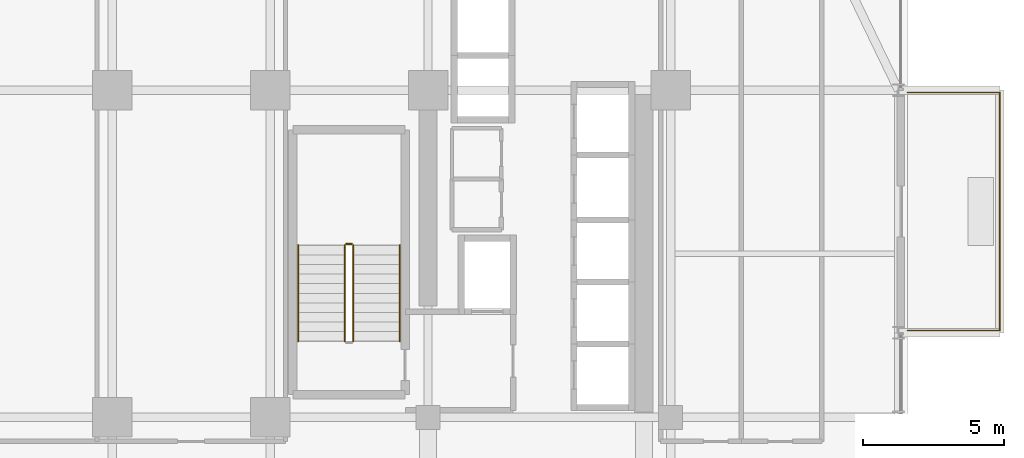
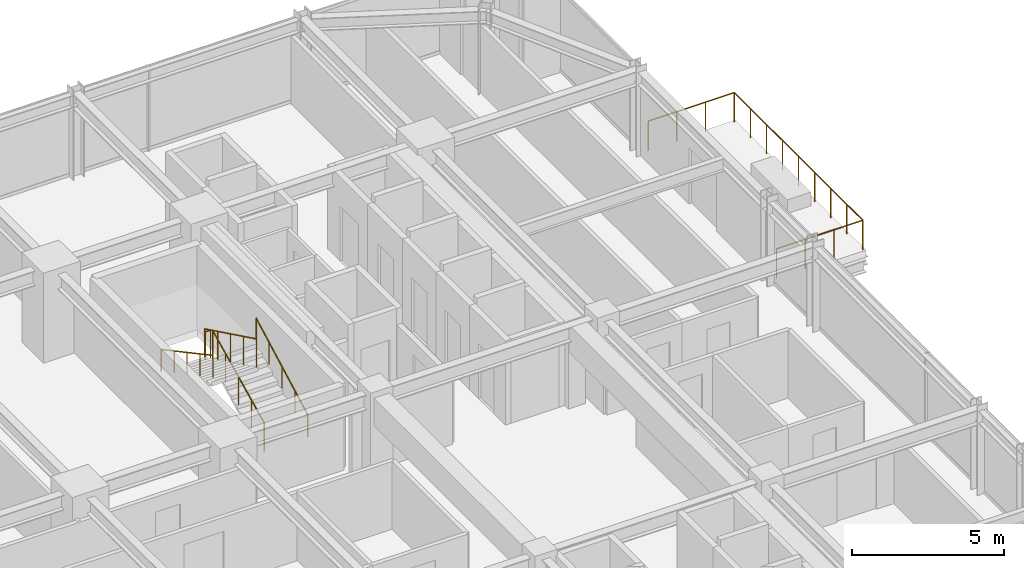
# One storey, part 35 of 36: 6 railings.
"""IFC4 building model written with IfcOpenShell, lengths in metres."""

from ifc_helpers import new_model, si_unit, direction, frame, origin, origin_2d, place, context, subcontext, project, spatial, circle, extrude, material, type_object, element, save


model = new_model("IFC4")

# Units and contexts
model_context = context("Model", 3, precision=1e-05, world=origin(), true_north=direction((0.0, 1.0)))
body_context = subcontext(model_context, "Body", "Model", "MODEL_VIEW")
ifc_project = project(units=[si_unit("LENGTHUNIT", "METRE"), si_unit("AREAUNIT", "SQUARE_METRE"), si_unit("VOLUMEUNIT", "CUBIC_METRE"), si_unit("PLANEANGLEUNIT", "RADIAN"), si_unit("MASSUNIT", "GRAM", prefix="KILO")], contexts=[model_context])

# Site, building, storey
site_placement = place(None, origin())
site = spatial("IfcSite", under=ifc_project, at=site_placement, CompositionType="ELEMENT")
building_placement = place(site_placement, origin())
building = spatial("IfcBuilding", under=site, at=building_placement, Name="Nahalor Promenade Grand Hotel", CompositionType="ELEMENT")
storey_placement = place(building_placement, frame((0.0, 0.0, 72.550048828125)))
storey = spatial("IfcBuildingStorey", under=building, at=storey_placement, Name="L17", CompositionType="ELEMENT", Elevation=72.550048828125)

# Railings
ifc_material_1 = material(Name="Anodised Bronze Aluminium EN AW-6063 T6", Category="aluminium")
railing_type_1 = type_object("IfcRailingType", Name="Bronze Balcony Guardrail 1200 mm", PredefinedType="GUARDRAIL", material=ifc_material_1)
railing_1_placement = place(storey_placement, frame((25.39990234375, 8.47998046875, 0.0)))
element("IfcRailing", 1, at=railing_1_placement, inside=storey, type_object=railing_type_1, Name="L17 Balcony Guardrail 2", PredefinedType="GUARDRAIL", context=body_context, shape_type="SweptSolid", body=[
    extrude(circle(Radius=0.024048, at=origin_2d()), frame((0.0, 0.0, 1.17578125), z_axis=(1.0, 0.0, 0.0), x_axis=(0.0, 1.0, 0.0)), (0.0, 0.0, 1.0), 3.26806640625),
    extrude(circle(Radius=0.024048, at=origin_2d()), frame((3.27001953125, 0.001953125, 1.17578125), z_axis=(0.0, 1.0, 0.0), x_axis=(-1.0, 0.0, 0.0)), (0.0, 0.0, 1.0), 8.43603515625),
    extrude(circle(Radius=0.024048, at=origin_2d()), frame((3.26806640625, 8.43994140625, 1.17578125), z_axis=(-1.0, 0.0, 0.0), x_axis=(0.0, -1.0, 0.0)), (0.0, 0.0, 1.0), 3.26806640625),
    extrude(circle(Radius=0.020996, at=origin_2d()), origin(), (0.0, 0.0, 1.0), 1.14990234375),
    extrude(circle(Radius=0.020996, at=origin_2d()), frame((1.090087890625, 0.0, 0.0)), (0.0, 0.0, 1.0), 1.14990234375),
    extrude(circle(Radius=0.020996, at=origin_2d()), frame((2.179931640625, 0.0, 0.0)), (0.0, 0.0, 1.0), 1.14990234375),
    extrude(circle(Radius=0.020996, at=origin_2d()), frame((3.27001953125, 0.0, 0.0)), (0.0, 0.0, 1.0), 1.14990234375),
    extrude(circle(Radius=0.020996, at=origin_2d()), frame((3.27001953125, 1.054931640625, 0.0)), (0.0, 0.0, 1.0), 1.14990234375),
    extrude(circle(Radius=0.020996, at=origin_2d()), frame((3.27001953125, 2.10986328125, 0.0)), (0.0, 0.0, 1.0), 1.14990234375),
    extrude(circle(Radius=0.020996, at=origin_2d()), frame((3.27001953125, 3.1650390625, 0.0)), (0.0, 0.0, 1.0), 1.14990234375),
    extrude(circle(Radius=0.020996, at=origin_2d()), frame((3.27001953125, 4.219970703125, 0.0)), (0.0, 0.0, 1.0), 1.14990234375),
    extrude(circle(Radius=0.020996, at=origin_2d()), frame((3.27001953125, 5.27490234375, 0.0)), (0.0, 0.0, 1.0), 1.14990234375),
    extrude(circle(Radius=0.020996, at=origin_2d()), frame((3.27001953125, 6.330078125, 0.0)), (0.0, 0.0, 1.0), 1.14990234375),
    extrude(circle(Radius=0.020996, at=origin_2d()), frame((3.27001953125, 7.385009765625, 0.0)), (0.0, 0.0, 1.0), 1.14990234375),
    extrude(circle(Radius=0.020996, at=origin_2d()), frame((3.27001953125, 8.43994140625, 0.0)), (0.0, 0.0, 1.0), 1.14990234375),
    extrude(circle(Radius=0.020996, at=origin_2d()), frame((2.179931640625, 8.43994140625, 0.0)), (0.0, 0.0, 1.0), 1.14990234375),
    extrude(circle(Radius=0.020996, at=origin_2d()), frame((1.090087890625, 8.43994140625, 0.0)), (0.0, 0.0, 1.0), 1.14990234375),
    extrude(circle(Radius=0.020996, at=origin_2d()), frame((0.0, 8.43994140625, 0.0)), (0.0, 0.0, 1.0), 1.14990234375),
])
ifc_material_2 = material(Name="Steel S355JR", Category="steel")
railing_type_2 = type_object("IfcRailingType", Name="Steel Stair Guardrail 1150 mm", PredefinedType="GUARDRAIL", material=ifc_material_2)
railing_2_placement = place(storey_placement, frame((5.75, 8.10009765625, 0.165771484375)))
element("IfcRailing", 2, at=railing_2_placement, inside=storey, type_object=railing_type_2, Name="L17 ST1 stair guard 1", PredefinedType="GUARDRAIL", context=body_context, shape_type="SweptSolid", body=[
    extrude(circle(Radius=0.024048, at=origin_2d()), frame((0.0, 0.0, 1.1259765625), z_axis=(0.0, 0.898696488221, 0.438571114028), x_axis=(-1.0, 0.0, 0.0)), (0.0, 0.0, 1.0), 3.783203125),
    extrude(circle(Radius=0.020996, at=origin_2d()), origin(), (0.0, 0.0, 1.0), 1.099853515625),
    extrude(circle(Radius=0.020996, at=origin_2d()), frame((0.0, 0.85009765625, 0.414794921875)), (0.0, 0.0, 1.0), 1.099853515625),
    extrude(circle(Radius=0.020996, at=origin_2d()), frame((0.0, 1.699951171875, 0.82958984375)), (0.0, 0.0, 1.0), 1.099853515625),
    extrude(circle(Radius=0.020996, at=origin_2d()), frame((0.0, 2.5498046875, 1.244384765625)), (0.0, 0.0, 1.0), 1.099853515625),
    extrude(circle(Radius=0.020996, at=origin_2d()), frame((0.0, 3.39990234375, 1.6591796875)), (0.0, 0.0, 1.0), 1.099853515625),
])
railing_3_placement = place(storey_placement, frame((5.699951171875, 11.550048828125, 1.824951171875)))
element("IfcRailing", 3, at=railing_3_placement, inside=storey, type_object=railing_type_2, Name="L17 ST1 stair guard 2", PredefinedType="GUARDRAIL", context=body_context, shape_type="SweptSolid", body=[
    extrude(circle(Radius=0.024048, at=origin_2d()), frame((0.0, 0.0, 1.1259765625), z_axis=(-1.0, 0.0, 0.0), x_axis=(0.0, -1.0, 0.0)), (0.0, 0.0, 1.0), 0.199951171875),
    extrude(circle(Radius=0.020996, at=origin_2d()), origin(), (0.0, 0.0, 1.0), 1.099853515625),
    extrude(circle(Radius=0.020996, at=origin_2d()), frame((-0.199951171875, 0.0, 0.0)), (0.0, 0.0, 1.0), 1.099853515625),
])
railing_4_placement = place(storey_placement, frame((5.449951171875, 11.5, 1.990966796875)))
element("IfcRailing", 4, at=railing_4_placement, inside=storey, type_object=railing_type_2, Name="L17 ST1 stair guard 3", PredefinedType="GUARDRAIL", context=body_context, shape_type="SweptSolid", body=[
    extrude(circle(Radius=0.024048, at=origin_2d()), frame((0.0, 0.0, 1.1259765625), z_axis=(0.0, -0.898721922897, 0.438518990814), x_axis=(1.0, 0.0, 0.0)), (0.0, 0.0, 1.0), 3.782958984375),
    extrude(circle(Radius=0.020996, at=origin_2d()), origin(), (0.0, 0.0, 1.0), 1.099853515625),
    extrude(circle(Radius=0.020996, at=origin_2d()), frame((0.0, -0.85009765625, 0.414794921875)), (0.0, 0.0, 1.0), 1.099853515625),
    extrude(circle(Radius=0.020996, at=origin_2d()), frame((0.0, -1.699951171875, 0.82958984375)), (0.0, 0.0, 1.0), 1.099853515625),
    extrude(circle(Radius=0.020996, at=origin_2d()), frame((0.0, -2.5498046875, 1.244140625)), (0.0, 0.0, 1.0), 1.099853515625),
    extrude(circle(Radius=0.020996, at=origin_2d()), frame((0.0, -3.39990234375, 1.658935546875)), (0.0, 0.0, 1.0), 1.099853515625),
])
railing_type_3 = type_object("IfcRailingType", Name="Steel Stair Handrail 900 mm", PredefinedType="HANDRAIL", material=ifc_material_2)
railing_5_placement = place(storey_placement, frame((7.39990234375, 8.10009765625, 0.165771484375)))
element("IfcRailing", 5, at=railing_5_placement, inside=storey, type_object=railing_type_3, Name="L17 ST1 stair handrail 1", PredefinedType="HANDRAIL", context=body_context, shape_type="SweptSolid", body=[
    extrude(circle(Radius=0.024048, at=origin_2d()), frame((0.0, 0.0, 0.8759765625), z_axis=(0.0, 0.881067672671, 0.472990228413), x_axis=(-1.0, 0.0, 0.0)), (0.0, 0.0, 1.0), 3.85888671875),
    extrude(circle(Radius=0.020996, at=origin_2d()), origin(), (0.0, 0.0, 1.0), 0.849853515625),
    extrude(circle(Radius=0.020996, at=origin_2d()), frame((0.0, 0.85009765625, 0.456298828125)), (0.0, 0.0, 1.0), 0.849853515625),
    extrude(circle(Radius=0.020996, at=origin_2d()), frame((0.0, 1.699951171875, 0.91259765625)), (0.0, 0.0, 1.0), 0.849853515625),
    extrude(circle(Radius=0.020996, at=origin_2d()), frame((0.0, 2.5498046875, 1.368896484375)), (0.0, 0.0, 1.0), 0.849853515625),
    extrude(circle(Radius=0.020996, at=origin_2d()), frame((0.0, 3.39990234375, 1.8251953125)), (0.0, 0.0, 1.0), 0.849853515625),
])
railing_6_placement = place(storey_placement, frame((3.800048828125, 11.5, 1.990966796875)))
element("IfcRailing", 6, at=railing_6_placement, inside=storey, type_object=railing_type_3, Name="L17 ST1 stair handrail 2", PredefinedType="HANDRAIL", context=body_context, shape_type="SweptSolid", body=[
    extrude(circle(Radius=0.024048, at=origin_2d()), frame((0.0, 0.0, 0.8759765625), z_axis=(0.0, -0.881094038095, 0.47294111265), x_axis=(1.0, 0.0, 0.0)), (0.0, 0.0, 1.0), 3.858642578125),
    extrude(circle(Radius=0.020996, at=origin_2d()), origin(), (0.0, 0.0, 1.0), 0.849853515625),
    extrude(circle(Radius=0.020996, at=origin_2d()), frame((0.0, -0.85009765625, 0.456298828125)), (0.0, 0.0, 1.0), 0.849853515625),
    extrude(circle(Radius=0.020996, at=origin_2d()), frame((0.0, -1.699951171875, 0.91259765625)), (0.0, 0.0, 1.0), 0.849853515625),
    extrude(circle(Radius=0.020996, at=origin_2d()), frame((0.0, -2.5498046875, 1.36865234375)), (0.0, 0.0, 1.0), 0.849853515625),
    extrude(circle(Radius=0.020996, at=origin_2d()), frame((0.0, -3.39990234375, 1.824951171875)), (0.0, 0.0, 1.0), 0.849853515625),
])

save(model, "model.ifc")
